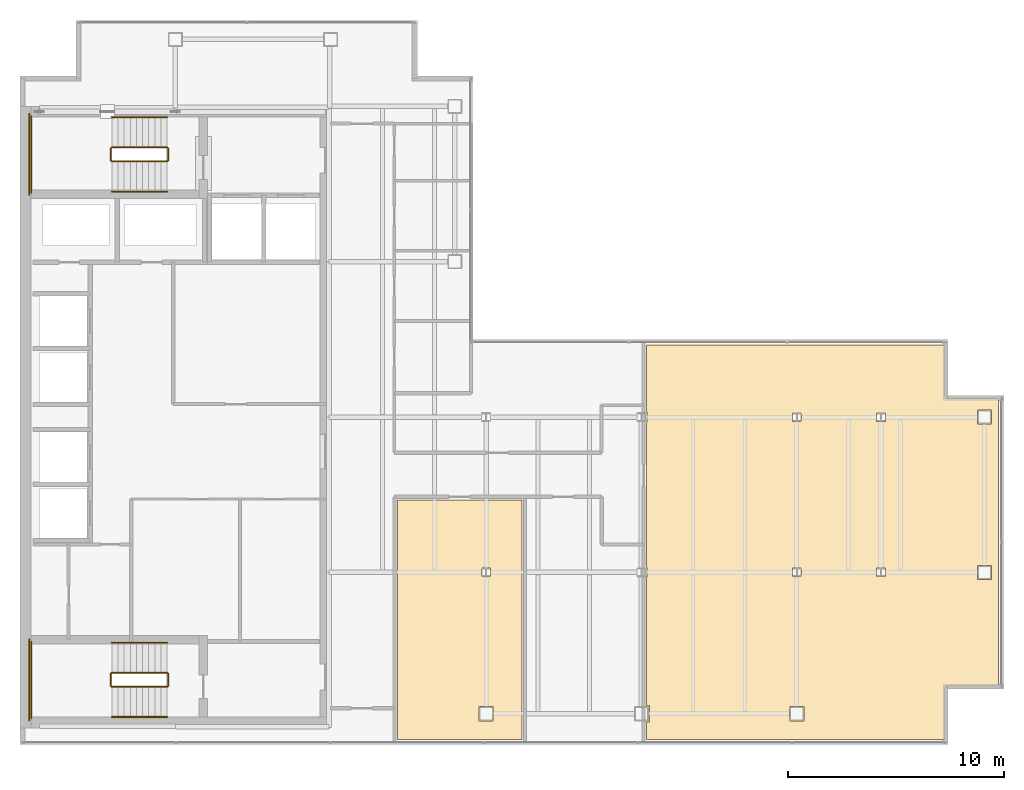
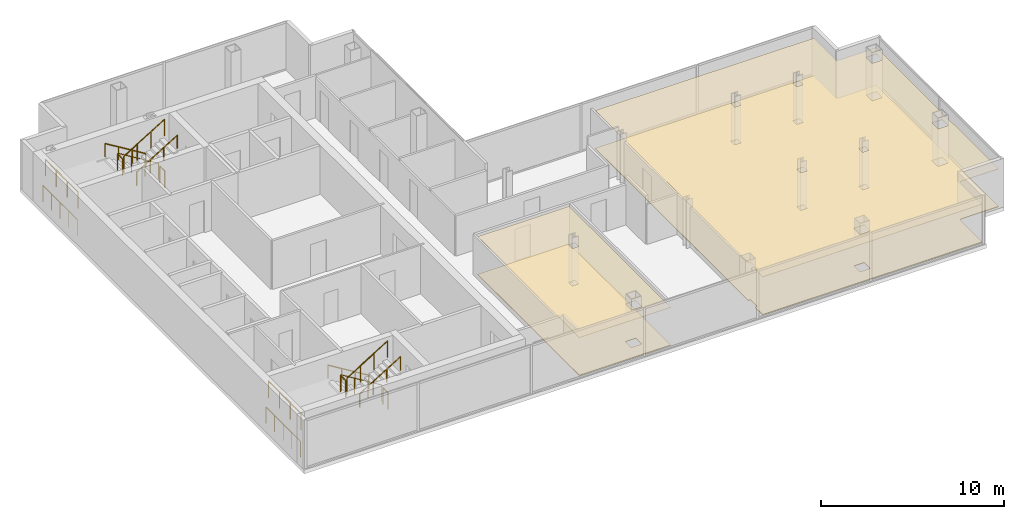
# One storey, part 23 of 23: 16 railings, 4 coverings.
"""IFC4 building model written with IfcOpenShell, lengths in metres."""

import ifcopenshell
import ifcopenshell.guid

model = None  # the IFC model being written
_history = None  # IfcOwnerHistory: only IFC2X3 demands one
_inside = {}  # id of a spatial element -> (the spatial element, [elements in it])
_under = {}  # id of a project, library or spatial element -> (it, [spatial elements below it])
_declared = {}  # id of a project -> (the project, [libraries it declares])
_typed = {}  # id of a type object -> (the type object, [elements of that type])
_made_of = {}  # id of a material, layer set ... -> (it, [elements and type objects made of it])


def new_model(schema):
    """Start an empty IFC model of exactly this schema.

    Asked for "IFC4X3", IfcOpenShell would pick the latest addendum, in which some entities
    have other attributes; the version numbers below select the first issue.
    IFC2X3 requires an IfcOwnerHistory on every rooted entity: one is made here for all.
    """
    global model, _history
    if schema == "IFC4X3":
        model = ifcopenshell.file(schema_version=(4, 3, 0, 0))
    else:
        model = ifcopenshell.file(schema=schema)
    _inside.clear()
    _under.clear()
    _declared.clear()
    _typed.clear()
    _made_of.clear()
    _history = None
    if model.schema == "IFC2X3":
        org = make("IfcOrganization", Name="unknown")
        user = make(
            "IfcPersonAndOrganization",
            ThePerson=make("IfcPerson", FamilyName="unknown"),
            TheOrganization=org,
        )
        app = make(
            "IfcApplication",
            ApplicationDeveloper=org,
            Version="unknown",
            ApplicationFullName="unknown",
            ApplicationIdentifier="unknown",
        )
        _history = make(
            "IfcOwnerHistory",
            OwningUser=user,
            OwningApplication=app,
            ChangeAction="ADDED",
            CreationDate=0,
        )
    return model


def make(cls, **values):
    """One entity of the class cls with the attributes given. An attribute that is None is left unset."""
    return model.create_entity(
        cls, **{name: value for name, value in values.items() if value is not None}
    )


def rooted(cls, **values):
    """An entity with a GlobalId (a new one), such as an element, a storey or a relation."""
    return make(cls, GlobalId=ifcopenshell.guid.new(), OwnerHistory=_history, **values)


def si_unit(unit_type, name, prefix=None):
    """IfcSIUnit, for example si_unit("LENGTHUNIT", "METRE", prefix="MILLI")."""
    return make("IfcSIUnit", UnitType=unit_type, Prefix=prefix, Name=name)


def assignment(units):
    """IfcUnitAssignment: the units of a project."""
    return None if units is None else make("IfcUnitAssignment", Units=units)


def point(xyz):
    """IfcCartesianPoint."""
    return None if xyz is None else make("IfcCartesianPoint", Coordinates=xyz)


def direction(xyz):
    """IfcDirection."""
    return None if xyz is None else make("IfcDirection", DirectionRatios=xyz)


def frame(location, z_axis=None, x_axis=None):
    """IfcAxis2Placement3D, a coordinate frame: its origin and axes. An axis left out is left unset."""
    return make(
        "IfcAxis2Placement3D",
        Location=point(location),
        Axis=direction(z_axis),
        RefDirection=direction(x_axis),
    )


def frame_2d(location, x_axis=None):
    """IfcAxis2Placement2D, a coordinate frame in the plane: its origin and x axis."""
    return make(
        "IfcAxis2Placement2D", Location=point(location), RefDirection=direction(x_axis)
    )


def origin():
    """The frame at (0, 0, 0) with its axes left unset."""
    return frame((0.0, 0.0, 0.0))


def origin_2d():
    """The frame at (0, 0) in the plane with its x axis left unset."""
    return frame_2d((0.0, 0.0))


def place(relative_to, where):
    """IfcLocalPlacement: puts the frame where relative to a parent placement (None: the world)."""
    return make(
        "IfcLocalPlacement", PlacementRelTo=relative_to, RelativePlacement=where
    )


def context(
    kind, dimensions, precision=None, world=None, true_north=None, identifier=None
):
    """IfcGeometricRepresentationContext, for example the 3D "Model" context."""
    return make(
        "IfcGeometricRepresentationContext",
        ContextIdentifier=identifier,
        ContextType=kind,
        CoordinateSpaceDimension=dimensions,
        Precision=precision,
        WorldCoordinateSystem=world,
        TrueNorth=true_north,
    )


def subcontext(parent, identifier, kind, view, scale=None):
    """IfcGeometricRepresentationSubContext, for example "Body" below "Model"."""
    return make(
        "IfcGeometricRepresentationSubContext",
        ContextIdentifier=identifier,
        ContextType=kind,
        ParentContext=parent,
        TargetScale=scale,
        TargetView=view,
    )


def project(units=None, contexts=None):
    """IfcProject with its units and contexts."""
    return rooted(
        "IfcProject",
        Name="project",
        RepresentationContexts=contexts,
        UnitsInContext=assignment(units),
    )


def spatial(cls, under=None, at=None, **own):
    """A site, building, storey or space (cls), placed at a placement, below another one or the project."""
    s = rooted(cls, ObjectPlacement=at, **own)
    if under is not None:
        _under.setdefault(under.id(), (under, []))[1].append(s)
    return s


def polyline(points):
    """IfcPolyline through the points."""
    return make("IfcPolyline", Points=[point(p) for p in points])


def profile(cls, at=None, kind="AREA", **sizes):
    """A parametric profile (cls). Its sizes go by their IFC names, for example OverallWidth=200.0."""
    return make(cls, ProfileType=kind, Position=at, **sizes)


def circle(**sizes):
    """IfcCircleProfileDef."""
    return profile("IfcCircleProfileDef", **sizes)


def outline(outer, holes=None, kind="AREA"):
    """IfcArbitraryClosedProfileDef: a profile drawn as a closed curve; with holes, ...WithVoids."""
    if holes is None:
        return make("IfcArbitraryClosedProfileDef", ProfileType=kind, OuterCurve=outer)
    return make(
        "IfcArbitraryProfileDefWithVoids",
        ProfileType=kind,
        OuterCurve=outer,
        InnerCurves=holes,
    )


def extrude(swept, where, along, depth):
    """IfcExtrudedAreaSolid: the profile swept, set in the frame where, extruded along a direction by depth."""
    return make(
        "IfcExtrudedAreaSolid",
        SweptArea=swept,
        Position=where,
        ExtrudedDirection=direction(along),
        Depth=depth,
    )


def shape(context_of_items, identifier, shape_type, items):
    """IfcShapeRepresentation: the items that make up one representation, for example the "Body"."""
    return make(
        "IfcShapeRepresentation",
        ContextOfItems=context_of_items,
        RepresentationIdentifier=identifier,
        RepresentationType=shape_type,
        Items=items,
    )


def material(Name=None, Category=None):
    """IfcMaterial."""
    return make("IfcMaterial", Name=Name, Category=Category)


def layer(
    of_material, thickness, ventilated=None, Name=None, Category=None, Priority=None
):
    """IfcMaterialLayer: one layer of a wall or slab, of a material (None: an air gap)."""
    return make(
        "IfcMaterialLayer",
        Material=of_material,
        LayerThickness=thickness,
        IsVentilated=ventilated,
        Name=Name,
        Category=Category,
        Priority=Priority,
    )


def layer_set(layers, Name=None):
    """IfcMaterialLayerSet."""
    return make("IfcMaterialLayerSet", MaterialLayers=layers, LayerSetName=Name)


def made_of(thing, what):
    """Note that an element or type object is made of a material, layer set ...; save() writes the relation."""
    if what is not None:
        _made_of.setdefault(what.id(), (what, []))[1].append(thing)
    return thing


def type_object(cls, material=None, **own):
    """A type object (cls), such as IfcWallType, which elements share."""
    return made_of(rooted(cls, **own), material)


def element(
    cls,
    number,
    at=None,
    inside=None,
    cuts=None,
    type_object=None,
    material=None,
    context=None,
    identifier="Body",
    shape_type=None,
    held_by="IfcProductDefinitionShape",
    body=None,
    shapes=None,
    **own,
):
    """One element of the class cls, such as IfcWall. Its Tag is "e" and its number.

    at: its placement. inside: the storey or other place that contains it. cuts: it is an
    opening in that element (IfcRelVoidsElement). A single representation is given by context,
    identifier, shape_type and body (its items); several are given by shapes. held_by: the class
    of the entity that holds the representations. save() writes the other relations.
    """
    e = rooted(cls, Tag="e%d" % number, ObjectPlacement=at, **own)
    if body is not None:
        shapes = [shape(context, identifier, shape_type, body)]
    if shapes is not None:
        e.Representation = make(held_by, Representations=shapes)
    if inside is not None:
        _inside.setdefault(inside.id(), (inside, []))[1].append(e)
    if cuts is not None:
        rooted(
            "IfcRelVoidsElement", RelatingBuildingElement=cuts, RelatedOpeningElement=e
        )
    if type_object is not None:
        _typed.setdefault(type_object.id(), (type_object, []))[1].append(e)
    return made_of(e, material)


def aggregate(whole, parts):
    """IfcRelAggregates: a whole, such as a stair, and the parts it consists of."""
    return rooted("IfcRelAggregates", RelatingObject=whole, RelatedObjects=parts)


def save(model, path):
    """Write the relations noted so far, then the file.

    IfcRelAggregates (storeys below a building ...), IfcRelContainedInSpatialStructure (elements
    in a storey), IfcRelDefinesByType, IfcRelAssociatesMaterial and IfcRelDeclares: one each for
    every whole, place, type object, material and project.
    """
    for whole, parts in _under.values():
        aggregate(whole, parts)
    for where, things in _inside.values():
        rooted(
            "IfcRelContainedInSpatialStructure",
            RelatedElements=things,
            RelatingStructure=where,
        )
    for kind, things in _typed.values():
        rooted("IfcRelDefinesByType", RelatedObjects=things, RelatingType=kind)
    for what, things in _made_of.values():
        rooted("IfcRelAssociatesMaterial", RelatedObjects=things, RelatingMaterial=what)
    for by, libraries in _declared.values():
        rooted("IfcRelDeclares", RelatingContext=by, RelatedDefinitions=libraries)
    model.write(path)


model = new_model("IFC4")

# Units and contexts
model_context = context("Model", 3, precision=1e-05, world=origin(), true_north=direction((0.0, 1.0)))
body_context = subcontext(model_context, "Body", "Model", "MODEL_VIEW")
ifc_project = project(units=[si_unit("LENGTHUNIT", "METRE"), si_unit("AREAUNIT", "SQUARE_METRE"), si_unit("VOLUMEUNIT", "CUBIC_METRE"), si_unit("PLANEANGLEUNIT", "RADIAN"), si_unit("MASSUNIT", "GRAM", prefix="KILO")], contexts=[model_context])

# Site, building, storey
site_placement = place(None, origin())
site = spatial("IfcSite", under=ifc_project, at=site_placement, CompositionType="ELEMENT")
building_placement = place(site_placement, origin())
building = spatial("IfcBuilding", under=site, at=building_placement, Name="Cobrela Telecom Tower", CompositionType="ELEMENT")
storey_placement = place(building_placement, frame((0.0, 0.0, 262.14990234375)))
storey = spatial("IfcBuildingStorey", under=building, at=storey_placement, Name="L68", CompositionType="ELEMENT", Elevation=262.14990234375)

# Coverings
ifc_material_1 = material(Name="Mineral Fibre Acoustic Ceiling Tile")
ifc_layer_1 = layer(ifc_material_1, 0.02490234375)
ifc_layer_set_1 = layer_set([ifc_layer_1], Name="Mineral Fibre Acoustic Ceiling Tile")
covering_type_1 = type_object("IfcCoveringType", Name="COV-CEIL-ACT", PredefinedType="CEILING", material=ifc_layer_set_1)
covering_1_placement = place(storey_placement, frame((0.0, 0.0, 2.52001953125)))
element("IfcCovering", 1, at=covering_1_placement, inside=storey, type_object=covering_type_1, Name="L68 Engineering Conference Room 6 Suspended Acoustic Ceiling", PredefinedType="CEILING", context=body_context, shape_type="SweptSolid", body=[
    extrude(outline(polyline([(29.049560546875, 14.153076171875), (29.049560546875, 14.64697265625), (29.0400390625, 14.64697265625), (29.0400390625, 21.35302734375), (29.049560546875, 21.35302734375), (29.049560546875, 21.846923828125), (29.0400390625, 21.846923828125), (29.0400390625, 24.93994140625), (42.8701171875, 24.93994140625), (42.8701171875, 22.60888671875), (42.87060546875, 22.59619140625), (42.87255859375, 22.582763671875), (42.8759765625, 22.5693359375), (42.880615234375, 22.556396484375), (42.886474609375, 22.5439453125), (42.8935546875, 22.531982421875), (42.901611328125, 22.521240234375), (42.910888671875, 22.510986328125), (42.921142578125, 22.501708984375), (42.93212890625, 22.49365234375), (42.944091796875, 22.486572265625), (42.956298828125, 22.480712890625), (42.969482421875, 22.47607421875), (42.982666015625, 22.47265625), (42.996337890625, 22.470703125), (43.009033203125, 22.469970703125), (45.340087890625, 22.469970703125), (45.340087890625, 9.1298828125), (43.009033203125, 9.1298828125), (42.996337890625, 9.12939453125), (42.982666015625, 9.12744140625), (42.969482421875, 9.1240234375), (42.956298828125, 9.119384765625), (42.944091796875, 9.113525390625), (42.93212890625, 9.1064453125), (42.921142578125, 9.098388671875), (42.910888671875, 9.089111328125), (42.901611328125, 9.078857421875), (42.8935546875, 9.06787109375), (42.886474609375, 9.055908203125), (42.880615234375, 9.043701171875), (42.8759765625, 9.030517578125), (42.87255859375, 9.017333984375), (42.87060546875, 9.003662109375), (42.8701171875, 8.990966796875), (42.8701171875, 6.659912109375), (29.0400390625, 6.659912109375), (29.0400390625, 7.47509765625), (29.175048828125, 7.47509765625), (29.175048828125, 8.22509765625), (29.0400390625, 8.22509765625), (29.0400390625, 14.153076171875), (29.049560546875, 14.153076171875)]), holes=[polyline([(36.324951171875, 8.175048828125), (35.675048828125, 8.175048828125), (35.675048828125, 7.52490234375), (36.324951171875, 7.52490234375), (36.324951171875, 8.175048828125)]), polyline([(36.199462890625, 14.596923828125), (35.800537109375, 14.596923828125), (35.800537109375, 14.202880859375), (36.199462890625, 14.202880859375), (36.199462890625, 14.596923828125)]), polyline([(40.099609375, 14.596923828125), (39.700439453125, 14.596923828125), (39.700439453125, 14.202880859375), (40.099609375, 14.202880859375), (40.099609375, 14.596923828125)]), polyline([(45.02490234375, 14.72509765625), (44.375, 14.72509765625), (44.375, 14.074951171875), (45.02490234375, 14.074951171875), (45.02490234375, 14.72509765625)]), polyline([(36.199462890625, 21.797119140625), (35.800537109375, 21.797119140625), (35.800537109375, 21.403076171875), (36.199462890625, 21.403076171875), (36.199462890625, 21.797119140625)]), polyline([(40.099609375, 21.403076171875), (40.099609375, 21.797119140625), (39.700439453125, 21.797119140625), (39.700439453125, 21.403076171875), (40.099609375, 21.403076171875)]), polyline([(45.02490234375, 21.27490234375), (45.02490234375, 21.925048828125), (44.375, 21.925048828125), (44.375, 21.27490234375), (45.02490234375, 21.27490234375)])]), origin(), (0.0, 0.0, 1.0), 0.025146484375),
])
covering_2_placement = place(storey_placement, frame((0.0, 0.0, 2.52001953125)))
element("IfcCovering", 2, at=covering_2_placement, inside=storey, type_object=covering_type_1, Name="L68 Engineering Conference Room 4 Suspended Acoustic Ceiling", PredefinedType="CEILING", context=body_context, shape_type="SweptSolid", body=[
    extrude(outline(polyline([(23.260009765625, 6.659912109375), (17.489990234375, 6.659912109375), (17.489990234375, 17.760009765625), (23.260009765625, 17.760009765625), (23.260009765625, 6.659912109375)]), holes=[polyline([(21.925048828125, 8.175048828125), (21.27490234375, 8.175048828125), (21.27490234375, 7.52490234375), (21.925048828125, 7.52490234375), (21.925048828125, 8.175048828125)]), polyline([(21.799560546875, 14.596923828125), (21.400390625, 14.596923828125), (21.400390625, 14.202880859375), (21.799560546875, 14.202880859375), (21.799560546875, 14.596923828125)])]), origin(), (0.0, 0.0, 1.0), 0.025146484375),
])
ifc_material_2 = material(Name="Honed Colombian Basalt Stone", Category="masonry")
ifc_layer_2 = layer(ifc_material_2, 0.0400390625)
ifc_layer_set_2 = layer_set([ifc_layer_2], Name="Honed Colombian Basalt Stone")
covering_type_2 = type_object("IfcCoveringType", Name="COV-FLR-STONE", PredefinedType="FLOORING", material=ifc_layer_set_2)
covering_3_placement = place(storey_placement, origin())
element("IfcCovering", 3, at=covering_3_placement, inside=storey, type_object=covering_type_2, Name="L68 Engineering Conference Room 6 Raised Technical Flooring", PredefinedType="FLOORING", context=body_context, shape_type="SweptSolid", body=[
    extrude(outline(polyline([(29.049560546875, 14.153076171875), (29.049560546875, 14.64697265625), (29.0400390625, 14.64697265625), (29.0400390625, 21.35302734375), (29.049560546875, 21.35302734375), (29.049560546875, 21.846923828125), (29.0400390625, 21.846923828125), (29.0400390625, 24.93994140625), (42.8701171875, 24.93994140625), (42.8701171875, 22.60888671875), (42.87060546875, 22.59619140625), (42.87255859375, 22.582763671875), (42.8759765625, 22.5693359375), (42.880615234375, 22.556396484375), (42.886474609375, 22.5439453125), (42.8935546875, 22.531982421875), (42.901611328125, 22.521240234375), (42.910888671875, 22.510986328125), (42.921142578125, 22.501708984375), (42.93212890625, 22.49365234375), (42.944091796875, 22.486572265625), (42.956298828125, 22.480712890625), (42.969482421875, 22.47607421875), (42.982666015625, 22.47265625), (42.996337890625, 22.470703125), (43.009033203125, 22.469970703125), (45.340087890625, 22.469970703125), (45.340087890625, 9.1298828125), (43.009033203125, 9.1298828125), (42.996337890625, 9.12939453125), (42.982666015625, 9.12744140625), (42.969482421875, 9.1240234375), (42.956298828125, 9.119384765625), (42.944091796875, 9.113525390625), (42.93212890625, 9.1064453125), (42.921142578125, 9.098388671875), (42.910888671875, 9.089111328125), (42.901611328125, 9.078857421875), (42.8935546875, 9.06787109375), (42.886474609375, 9.055908203125), (42.880615234375, 9.043701171875), (42.8759765625, 9.030517578125), (42.87255859375, 9.017333984375), (42.87060546875, 9.003662109375), (42.8701171875, 8.990966796875), (42.8701171875, 6.659912109375), (29.0400390625, 6.659912109375), (29.0400390625, 7.47509765625), (29.175048828125, 7.47509765625), (29.175048828125, 8.22509765625), (29.0400390625, 8.22509765625), (29.0400390625, 14.153076171875), (29.049560546875, 14.153076171875)]), holes=[polyline([(36.324951171875, 8.175048828125), (35.675048828125, 8.175048828125), (35.675048828125, 7.52490234375), (36.324951171875, 7.52490234375), (36.324951171875, 8.175048828125)]), polyline([(36.199462890625, 14.596923828125), (35.800537109375, 14.596923828125), (35.800537109375, 14.202880859375), (36.199462890625, 14.202880859375), (36.199462890625, 14.596923828125)]), polyline([(40.099609375, 14.596923828125), (39.700439453125, 14.596923828125), (39.700439453125, 14.202880859375), (40.099609375, 14.202880859375), (40.099609375, 14.596923828125)]), polyline([(45.02490234375, 14.72509765625), (44.375, 14.72509765625), (44.375, 14.074951171875), (45.02490234375, 14.074951171875), (45.02490234375, 14.72509765625)]), polyline([(36.199462890625, 21.797119140625), (35.800537109375, 21.797119140625), (35.800537109375, 21.403076171875), (36.199462890625, 21.403076171875), (36.199462890625, 21.797119140625)]), polyline([(40.099609375, 21.403076171875), (40.099609375, 21.797119140625), (39.700439453125, 21.797119140625), (39.700439453125, 21.403076171875), (40.099609375, 21.403076171875)]), polyline([(45.02490234375, 21.27490234375), (45.02490234375, 21.925048828125), (44.375, 21.925048828125), (44.375, 21.27490234375), (45.02490234375, 21.27490234375)])]), origin(), (0.0, 0.0, 1.0), 0.0400390625),
])
covering_4_placement = place(storey_placement, origin())
element("IfcCovering", 4, at=covering_4_placement, inside=storey, type_object=covering_type_2, Name="L68 Engineering Conference Room 4 Raised Technical Flooring", PredefinedType="FLOORING", context=body_context, shape_type="SweptSolid", body=[
    extrude(outline(polyline([(23.260009765625, 6.659912109375), (17.489990234375, 6.659912109375), (17.489990234375, 17.760009765625), (23.260009765625, 17.760009765625), (23.260009765625, 6.659912109375)]), holes=[polyline([(21.925048828125, 8.175048828125), (21.27490234375, 8.175048828125), (21.27490234375, 7.52490234375), (21.925048828125, 7.52490234375), (21.925048828125, 8.175048828125)]), polyline([(21.799560546875, 14.596923828125), (21.400390625, 14.596923828125), (21.400390625, 14.202880859375), (21.799560546875, 14.202880859375), (21.799560546875, 14.596923828125)])]), origin(), (0.0, 0.0, 1.0), 0.0400390625),
])

# Railings
ifc_material_3 = material(Name="Steel ASTM A36", Category="steel")
railing_type_1 = type_object("IfcRailingType", Name="RAIL-GUARD-1100", PredefinedType="GUARDRAIL", material=ifc_material_3)
railing_1_placement = place(storey_placement, frame((6.820068359375, 34.10009765625, 0.175048828125)))
element("IfcRailing", 5, at=railing_1_placement, inside=storey, type_object=railing_type_1, Name="L68 ST1 stair guard 1", PredefinedType="GUARDRAIL", context=body_context, shape_type="SweptSolid", body=[
    extrude(circle(Radius=0.02392578125, at=origin_2d()), frame((0.0, 0.0, 1.076171875), z_axis=(-0.852195335862, 0.0, 0.523223766217), x_axis=(0.0, -1.0, 0.0)), (0.0, 0.0, 1.0), 3.010009765625),
    extrude(circle(Radius=0.02099609375, at=origin_2d()), origin(), (0.0, 0.0, 1.0), 1.052001953125),
    extrude(circle(Radius=0.02099609375, at=origin_2d()), frame((-0.85498046875, 0.0, 0.52490234375)), (0.0, 0.0, 1.0), 1.052001953125),
    extrude(circle(Radius=0.02099609375, at=origin_2d()), frame((-1.710205078125, 0.0, 1.050048828125)), (0.0, 0.0, 1.0), 1.052001953125),
    extrude(circle(Radius=0.02099609375, at=origin_2d()), frame((-2.565185546875, 0.0, 1.574951171875)), (0.0, 0.0, 1.0), 1.052001953125),
])
railing_2_placement = place(storey_placement, frame((4.205078125, 34.050048828125, 1.75)))
element("IfcRailing", 6, at=railing_2_placement, inside=storey, type_object=railing_type_1, Name="L68 ST1 stair guard 2", PredefinedType="GUARDRAIL", context=body_context, shape_type="SweptSolid", body=[
    extrude(circle(Radius=0.02392578125, at=origin_2d()), frame((0.0, 0.0, 1.076171875), z_axis=(0.0, -1.0, 0.0), x_axis=(1.0, 0.0, 0.0)), (0.0, 0.0, 1.0), 0.550048828125),
    extrude(circle(Radius=0.02099609375, at=origin_2d()), origin(), (0.0, 0.0, 1.0), 1.052001953125),
    extrude(circle(Radius=0.02099609375, at=origin_2d()), frame((0.0, -0.550048828125, 0.0)), (0.0, 0.0, 1.0), 1.052001953125),
])
railing_3_placement = place(storey_placement, frame((0.530029296875, 35.550048828125, 1.75)))
element("IfcRailing", 7, at=railing_3_placement, inside=storey, type_object=railing_type_1, Name="L68 ST1 stair guard 3", PredefinedType="GUARDRAIL", context=body_context, shape_type="SweptSolid", body=[
    extrude(circle(Radius=0.02392578125, at=origin_2d()), frame((0.0, 0.0, 1.076171875), z_axis=(0.0, -1.0, 0.0), x_axis=(1.0, 0.0, 0.0)), (0.0, 0.0, 1.0), 3.550048828125),
    extrude(circle(Radius=0.02099609375, at=origin_2d()), origin(), (0.0, 0.0, 1.0), 1.052001953125),
    extrude(circle(Radius=0.02099609375, at=origin_2d()), frame((0.0, -1.183349609375, 0.0)), (0.0, 0.0, 1.0), 1.052001953125),
    extrude(circle(Radius=0.02099609375, at=origin_2d()), frame((0.0, -2.36669921875, 0.0)), (0.0, 0.0, 1.0), 1.052001953125),
    extrude(circle(Radius=0.02099609375, at=origin_2d()), frame((0.0, -3.550048828125, 0.0)), (0.0, 0.0, 1.0), 1.052001953125),
])
railing_4_placement = place(storey_placement, frame((4.2548828125, 33.449951171875, 1.925048828125)))
element("IfcRailing", 8, at=railing_4_placement, inside=storey, type_object=railing_type_1, Name="L68 ST1 stair guard 4", PredefinedType="GUARDRAIL", context=body_context, shape_type="SweptSolid", body=[
    extrude(circle(Radius=0.02392578125, at=origin_2d()), frame((0.0, 0.0, 1.076171875), z_axis=(0.852195335862, 0.0, 0.523223766217), x_axis=(0.0, 1.0, 0.0)), (0.0, 0.0, 1.0), 3.010009765625),
    extrude(circle(Radius=0.02099609375, at=origin_2d()), origin(), (0.0, 0.0, 1.0), 1.052001953125),
    extrude(circle(Radius=0.02099609375, at=origin_2d()), frame((0.85498046875, 0.0, 0.52490234375)), (0.0, 0.0, 1.0), 1.052001953125),
    extrude(circle(Radius=0.02099609375, at=origin_2d()), frame((1.710205078125, 0.0, 1.050048828125)), (0.0, 0.0, 1.0), 1.052001953125),
    extrude(circle(Radius=0.02099609375, at=origin_2d()), frame((2.565185546875, 0.0, 1.574951171875)), (0.0, 0.0, 1.0), 1.052001953125),
])
railing_5_placement = place(storey_placement, frame((6.8701171875, 34.050048828125, 0.0)))
element("IfcRailing", 9, at=railing_5_placement, inside=storey, type_object=railing_type_1, Name="L68 ST1 stair guard 5", PredefinedType="GUARDRAIL", context=body_context, shape_type="SweptSolid", body=[
    extrude(circle(Radius=0.02392578125, at=origin_2d()), frame((0.0, 0.0, 1.076171875), z_axis=(0.0, -1.0, 0.0), x_axis=(1.0, 0.0, 0.0)), (0.0, 0.0, 1.0), 0.550048828125),
    extrude(circle(Radius=0.02099609375, at=origin_2d()), origin(), (0.0, 0.0, 1.0), 1.052001953125),
    extrude(circle(Radius=0.02099609375, at=origin_2d()), frame((0.0, -0.550048828125, 0.0)), (0.0, 0.0, 1.0), 1.052001953125),
])
railing_6_placement = place(storey_placement, frame((0.429931640625, 35.64990234375, 0.0)))
element("IfcRailing", 10, at=railing_6_placement, inside=storey, type_object=railing_type_1, Name="L68 ST1 stair guard 6", PredefinedType="GUARDRAIL", context=body_context, shape_type="SweptSolid", body=[
    extrude(circle(Radius=0.02392578125, at=origin_2d()), frame((0.0, 0.0, 1.076171875), z_axis=(0.0, -1.0, 0.0), x_axis=(1.0, 0.0, 0.0)), (0.0, 0.0, 1.0), 3.75),
    extrude(circle(Radius=0.02099609375, at=origin_2d()), origin(), (0.0, 0.0, 1.0), 1.052001953125),
    extrude(circle(Radius=0.02099609375, at=origin_2d()), frame((0.0, -0.9375, 0.0)), (0.0, 0.0, 1.0), 1.052001953125),
    extrude(circle(Radius=0.02099609375, at=origin_2d()), frame((0.0, -1.875, 0.0)), (0.0, 0.0, 1.0), 1.052001953125),
    extrude(circle(Radius=0.02099609375, at=origin_2d()), frame((0.0, -2.8125, 0.0)), (0.0, 0.0, 1.0), 1.052001953125),
    extrude(circle(Radius=0.02099609375, at=origin_2d()), frame((0.0, -3.75, 0.0)), (0.0, 0.0, 1.0), 1.052001953125),
])
railing_7_placement = place(storey_placement, frame((6.820068359375, 9.75, 0.175048828125)))
element("IfcRailing", 11, at=railing_7_placement, inside=storey, type_object=railing_type_1, Name="L68 ST2 stair guard 1", PredefinedType="GUARDRAIL", context=body_context, shape_type="SweptSolid", body=[
    extrude(circle(Radius=0.02392578125, at=origin_2d()), frame((0.0, 0.0, 1.076171875), z_axis=(-0.852195335862, 0.0, 0.523223766217), x_axis=(0.0, -1.0, 0.0)), (0.0, 0.0, 1.0), 3.010009765625),
    extrude(circle(Radius=0.02099609375, at=origin_2d()), origin(), (0.0, 0.0, 1.0), 1.052001953125),
    extrude(circle(Radius=0.02099609375, at=origin_2d()), frame((-0.85498046875, 0.0, 0.52490234375)), (0.0, 0.0, 1.0), 1.052001953125),
    extrude(circle(Radius=0.02099609375, at=origin_2d()), frame((-1.710205078125, 0.0, 1.050048828125)), (0.0, 0.0, 1.0), 1.052001953125),
    extrude(circle(Radius=0.02099609375, at=origin_2d()), frame((-2.565185546875, 0.0, 1.574951171875)), (0.0, 0.0, 1.0), 1.052001953125),
])
railing_8_placement = place(storey_placement, frame((4.205078125, 9.699951171875, 1.75)))
element("IfcRailing", 12, at=railing_8_placement, inside=storey, type_object=railing_type_1, Name="L68 ST2 stair guard 2", PredefinedType="GUARDRAIL", context=body_context, shape_type="SweptSolid", body=[
    extrude(circle(Radius=0.02392578125, at=origin_2d()), frame((0.0, 0.0, 1.076171875), z_axis=(0.0, -1.0, 0.0), x_axis=(1.0, 0.0, 0.0)), (0.0, 0.0, 1.0), 0.550048828125),
    extrude(circle(Radius=0.02099609375, at=origin_2d()), origin(), (0.0, 0.0, 1.0), 1.052001953125),
    extrude(circle(Radius=0.02099609375, at=origin_2d()), frame((0.0, -0.550048828125, 0.0)), (0.0, 0.0, 1.0), 1.052001953125),
])
railing_9_placement = place(storey_placement, frame((0.530029296875, 11.199951171875, 1.75)))
element("IfcRailing", 13, at=railing_9_placement, inside=storey, type_object=railing_type_1, Name="L68 ST2 stair guard 3", PredefinedType="GUARDRAIL", context=body_context, shape_type="SweptSolid", body=[
    extrude(circle(Radius=0.02392578125, at=origin_2d()), frame((0.0, 0.0, 1.076171875), z_axis=(0.0, -1.0, 0.0), x_axis=(1.0, 0.0, 0.0)), (0.0, 0.0, 1.0), 3.550048828125),
    extrude(circle(Radius=0.02099609375, at=origin_2d()), origin(), (0.0, 0.0, 1.0), 1.052001953125),
    extrude(circle(Radius=0.02099609375, at=origin_2d()), frame((0.0, -1.183349609375, 0.0)), (0.0, 0.0, 1.0), 1.052001953125),
    extrude(circle(Radius=0.02099609375, at=origin_2d()), frame((0.0, -2.36669921875, 0.0)), (0.0, 0.0, 1.0), 1.052001953125),
    extrude(circle(Radius=0.02099609375, at=origin_2d()), frame((0.0, -3.550048828125, 0.0)), (0.0, 0.0, 1.0), 1.052001953125),
])
railing_10_placement = place(storey_placement, frame((4.2548828125, 9.10009765625, 1.925048828125)))
element("IfcRailing", 14, at=railing_10_placement, inside=storey, type_object=railing_type_1, Name="L68 ST2 stair guard 4", PredefinedType="GUARDRAIL", context=body_context, shape_type="SweptSolid", body=[
    extrude(circle(Radius=0.02392578125, at=origin_2d()), frame((0.0, 0.0, 1.076171875), z_axis=(0.852195335862, 0.0, 0.523223766217), x_axis=(0.0, 1.0, 0.0)), (0.0, 0.0, 1.0), 3.010009765625),
    extrude(circle(Radius=0.02099609375, at=origin_2d()), origin(), (0.0, 0.0, 1.0), 1.052001953125),
    extrude(circle(Radius=0.02099609375, at=origin_2d()), frame((0.85498046875, 0.0, 0.52490234375)), (0.0, 0.0, 1.0), 1.052001953125),
    extrude(circle(Radius=0.02099609375, at=origin_2d()), frame((1.710205078125, 0.0, 1.050048828125)), (0.0, 0.0, 1.0), 1.052001953125),
    extrude(circle(Radius=0.02099609375, at=origin_2d()), frame((2.565185546875, 0.0, 1.574951171875)), (0.0, 0.0, 1.0), 1.052001953125),
])
railing_11_placement = place(storey_placement, frame((6.8701171875, 9.699951171875, 0.0)))
element("IfcRailing", 15, at=railing_11_placement, inside=storey, type_object=railing_type_1, Name="L68 ST2 stair guard 5", PredefinedType="GUARDRAIL", context=body_context, shape_type="SweptSolid", body=[
    extrude(circle(Radius=0.02392578125, at=origin_2d()), frame((0.0, 0.0, 1.076171875), z_axis=(0.0, -1.0, 0.0), x_axis=(1.0, 0.0, 0.0)), (0.0, 0.0, 1.0), 0.550048828125),
    extrude(circle(Radius=0.02099609375, at=origin_2d()), origin(), (0.0, 0.0, 1.0), 1.052001953125),
    extrude(circle(Radius=0.02099609375, at=origin_2d()), frame((0.0, -0.550048828125, 0.0)), (0.0, 0.0, 1.0), 1.052001953125),
])
railing_12_placement = place(storey_placement, frame((0.429931640625, 11.300048828125, 0.0)))
element("IfcRailing", 16, at=railing_12_placement, inside=storey, type_object=railing_type_1, Name="L68 ST2 stair guard 6", PredefinedType="GUARDRAIL", context=body_context, shape_type="SweptSolid", body=[
    extrude(circle(Radius=0.02392578125, at=origin_2d()), frame((0.0, 0.0, 1.076171875), z_axis=(0.0, -1.0, 0.0), x_axis=(1.0, 0.0, 0.0)), (0.0, 0.0, 1.0), 3.75),
    extrude(circle(Radius=0.02099609375, at=origin_2d()), origin(), (0.0, 0.0, 1.0), 1.052001953125),
    extrude(circle(Radius=0.02099609375, at=origin_2d()), frame((0.0, -0.9375, 0.0)), (0.0, 0.0, 1.0), 1.052001953125),
    extrude(circle(Radius=0.02099609375, at=origin_2d()), frame((0.0, -1.875, 0.0)), (0.0, 0.0, 1.0), 1.052001953125),
    extrude(circle(Radius=0.02099609375, at=origin_2d()), frame((0.0, -2.8125, 0.0)), (0.0, 0.0, 1.0), 1.052001953125),
    extrude(circle(Radius=0.02099609375, at=origin_2d()), frame((0.0, -3.75, 0.0)), (0.0, 0.0, 1.0), 1.052001953125),
])
railing_type_2 = type_object("IfcRailingType", Name="RAIL-HAND-920", PredefinedType="HANDRAIL", material=ifc_material_3)
railing_13_placement = place(storey_placement, frame((6.820068359375, 35.5, 0.175048828125)))
element("IfcRailing", 17, at=railing_13_placement, inside=storey, type_object=railing_type_2, Name="L68 ST1 stair handrail 1", PredefinedType="HANDRAIL", context=body_context, shape_type="SweptSolid", body=[
    extrude(circle(Radius=0.02392578125, at=origin_2d()), frame((0.0, 0.0, 0.8759765625), z_axis=(-0.852195335862, 0.0, 0.523223766217), x_axis=(0.0, -1.0, 0.0)), (0.0, 0.0, 1.0), 3.010009765625),
    extrude(circle(Radius=0.02099609375, at=origin_2d()), origin(), (0.0, 0.0, 1.0), 0.851806640625),
    extrude(circle(Radius=0.02099609375, at=origin_2d()), frame((-0.85498046875, 0.0, 0.52490234375)), (0.0, 0.0, 1.0), 0.851806640625),
    extrude(circle(Radius=0.02099609375, at=origin_2d()), frame((-1.710205078125, 0.0, 1.050048828125)), (0.0, 0.0, 1.0), 0.851806640625),
    extrude(circle(Radius=0.02099609375, at=origin_2d()), frame((-2.565185546875, 0.0, 1.574951171875)), (0.0, 0.0, 1.0), 0.851806640625),
])
railing_14_placement = place(storey_placement, frame((4.2548828125, 32.050048828125, 1.925048828125)))
element("IfcRailing", 18, at=railing_14_placement, inside=storey, type_object=railing_type_2, Name="L68 ST1 stair handrail 2", PredefinedType="HANDRAIL", context=body_context, shape_type="SweptSolid", body=[
    extrude(circle(Radius=0.02392578125, at=origin_2d()), frame((0.0, 0.0, 0.8759765625), z_axis=(0.852195335862, 0.0, 0.523223766217), x_axis=(0.0, 1.0, 0.0)), (0.0, 0.0, 1.0), 3.010009765625),
    extrude(circle(Radius=0.02099609375, at=origin_2d()), origin(), (0.0, 0.0, 1.0), 0.851806640625),
    extrude(circle(Radius=0.02099609375, at=origin_2d()), frame((0.85498046875, 0.0, 0.52490234375)), (0.0, 0.0, 1.0), 0.851806640625),
    extrude(circle(Radius=0.02099609375, at=origin_2d()), frame((1.710205078125, 0.0, 1.050048828125)), (0.0, 0.0, 1.0), 0.851806640625),
    extrude(circle(Radius=0.02099609375, at=origin_2d()), frame((2.565185546875, 0.0, 1.574951171875)), (0.0, 0.0, 1.0), 0.851806640625),
])
railing_15_placement = place(storey_placement, frame((6.820068359375, 11.14990234375, 0.175048828125)))
element("IfcRailing", 19, at=railing_15_placement, inside=storey, type_object=railing_type_2, Name="L68 ST2 stair handrail 1", PredefinedType="HANDRAIL", context=body_context, shape_type="SweptSolid", body=[
    extrude(circle(Radius=0.02392578125, at=origin_2d()), frame((0.0, 0.0, 0.8759765625), z_axis=(-0.852195335862, 0.0, 0.523223766217), x_axis=(0.0, -1.0, 0.0)), (0.0, 0.0, 1.0), 3.010009765625),
    extrude(circle(Radius=0.02099609375, at=origin_2d()), origin(), (0.0, 0.0, 1.0), 0.851806640625),
    extrude(circle(Radius=0.02099609375, at=origin_2d()), frame((-0.85498046875, 0.0, 0.52490234375)), (0.0, 0.0, 1.0), 0.851806640625),
    extrude(circle(Radius=0.02099609375, at=origin_2d()), frame((-1.710205078125, 0.0, 1.050048828125)), (0.0, 0.0, 1.0), 0.851806640625),
    extrude(circle(Radius=0.02099609375, at=origin_2d()), frame((-2.565185546875, 0.0, 1.574951171875)), (0.0, 0.0, 1.0), 0.851806640625),
])
railing_16_placement = place(storey_placement, frame((4.2548828125, 7.699951171875, 1.925048828125)))
element("IfcRailing", 20, at=railing_16_placement, inside=storey, type_object=railing_type_2, Name="L68 ST2 stair handrail 2", PredefinedType="HANDRAIL", context=body_context, shape_type="SweptSolid", body=[
    extrude(circle(Radius=0.02392578125, at=origin_2d()), frame((0.0, 0.0, 0.8759765625), z_axis=(0.852195335862, 0.0, 0.523223766217), x_axis=(0.0, 1.0, 0.0)), (0.0, 0.0, 1.0), 3.010009765625),
    extrude(circle(Radius=0.02099609375, at=origin_2d()), origin(), (0.0, 0.0, 1.0), 0.851806640625),
    extrude(circle(Radius=0.02099609375, at=origin_2d()), frame((0.85498046875, 0.0, 0.52490234375)), (0.0, 0.0, 1.0), 0.851806640625),
    extrude(circle(Radius=0.02099609375, at=origin_2d()), frame((1.710205078125, 0.0, 1.050048828125)), (0.0, 0.0, 1.0), 0.851806640625),
    extrude(circle(Radius=0.02099609375, at=origin_2d()), frame((2.565185546875, 0.0, 1.574951171875)), (0.0, 0.0, 1.0), 0.851806640625),
])

save(model, "model.ifc")
